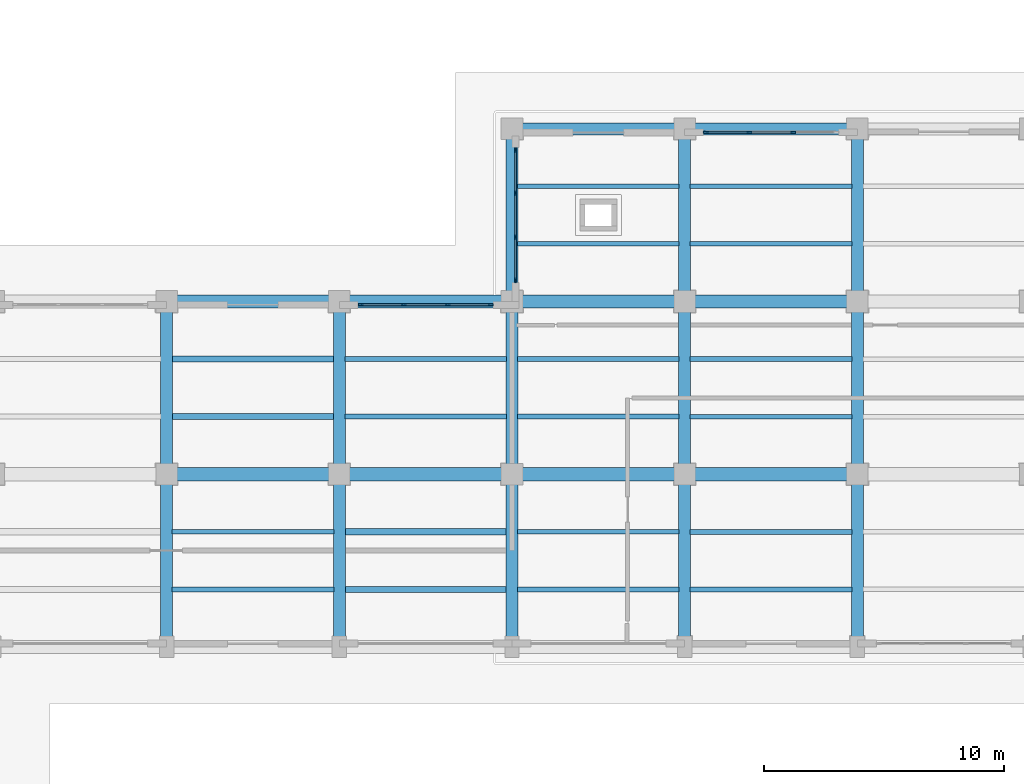
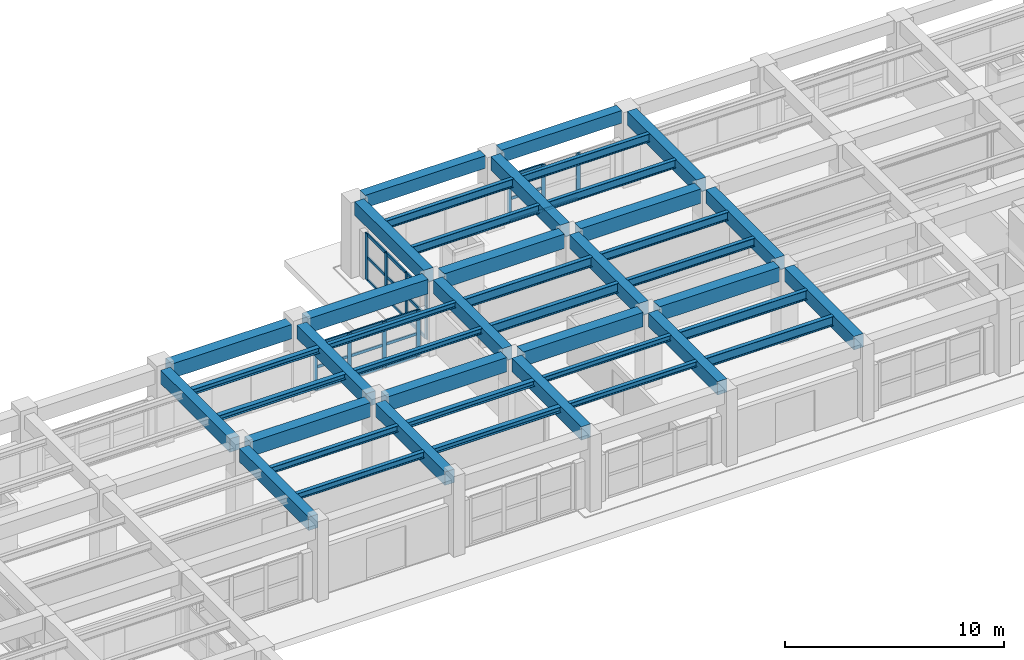
# One storey, part 23 of 64: 43 beams, 33 members, 3 elements without a shape of their own.
"""IFC4 building model written with IfcOpenShell, lengths in metres."""

from ifc_helpers import new_model, si_unit, direction, frame, origin, origin_2d, place, context, subcontext, project, spatial, rectangle, i_section, extrude, material, layer, layer_set, material_profile, profile_set, type_object, element, aggregate, save


model = new_model("IFC4")

# Units and contexts
model_context = context("Model", 3, precision=1e-05, world=origin(), true_north=direction((0.0, 1.0)))
body_context = subcontext(model_context, "Body", "Model", "MODEL_VIEW")
ifc_project = project(units=[si_unit("LENGTHUNIT", "METRE"), si_unit("AREAUNIT", "SQUARE_METRE"), si_unit("VOLUMEUNIT", "CUBIC_METRE"), si_unit("PLANEANGLEUNIT", "RADIAN"), si_unit("MASSUNIT", "GRAM", prefix="KILO")], contexts=[model_context])

# Site, building, storey
site_placement = place(None, origin())
site = spatial("IfcSite", under=ifc_project, at=site_placement, CompositionType="ELEMENT")
building_placement = place(site_placement, origin())
building = spatial("IfcBuilding", under=site, at=building_placement, Name="Solenvale Faculty of Natural Sciences", CompositionType="ELEMENT")
storey_placement = place(building_placement, origin())
storey = spatial("IfcBuildingStorey", under=building, at=storey_placement, Name="L00", CompositionType="ELEMENT", Elevation=0.0)

# Beams
ifc_material_1 = material(Name="Concrete 40 MPa", Category="concrete")
ifc_material_profile_1 = material_profile(ifc_material_1, rectangle(XDim=0.5, YDim=0.75, at=origin_2d()), Name="RC-BM-500x750")
ifc_profile_set_1 = profile_set([ifc_material_profile_1], Name="Concrete 40 MPa")
beam_type_1 = type_object("IfcBeamType", Name="BM-RC-500x750", PredefinedType="BEAM", material=ifc_profile_set_1)
for number, where, z_axis, x_axis, name in (
    (1, (64.800048828125, 94.030029296875, 3.844970703125), (0.0, 1.0, 0.0), (-1.0, 0.0, 0.0), "L00 Y-Girder X64.8 (93.6..100.8)"),
    (2, (64.800048828125, 101.22998046875, 3.844970703125), (0.0, 1.0, 0.0), (-1.0, 0.0, 0.0), "L00 Y-Girder X64.8 (100.8..108.0)"),
    (3, (72.0, 94.030029296875, 3.844970703125), (0.0, 1.0, 0.0), (-1.0, 0.0, 0.0), "L00 Y-Girder X72.0 (93.6..100.8)"),
    (4, (72.0, 101.22998046875, 3.844970703125), (0.0, 1.0, 0.0), (-1.0, 0.0, 0.0), "L00 Y-Girder X72.0 (100.8..108.0)"),
    (5, (79.199951171875, 94.030029296875, 3.844970703125), (0.0, 1.0, 0.0), (-1.0, 0.0, 0.0), "L00 Y-Girder X79.2 (93.6..100.8)"),
    (6, (79.199951171875, 101.22998046875, 3.844970703125), (0.0, 1.0, 0.0), (-1.0, 0.0, 0.0), "L00 Y-Girder X79.2 (100.8..108.0)"),
    (7, (79.199951171875, 108.429931640625, 3.844970703125), (0.0, 1.0, 0.0), (-1.0, 0.0, 0.0), "L00 Y-Girder X79.2 (108.0..115.2)"),
    (8, (86.39990234375, 94.030029296875, 3.844970703125), (0.0, 1.0, 0.0), (-1.0, 0.0, 0.0), "L00 Y-Girder X86.4 (93.6..100.8)"),
    (9, (86.39990234375, 101.22998046875, 3.844970703125), (0.0, 1.0, 0.0), (-1.0, 0.0, 0.0), "L00 Y-Girder X86.4 (100.8..108.0)"),
    (10, (86.39990234375, 108.429931640625, 3.844970703125), (0.0, 1.0, 0.0), (-1.0, 0.0, 0.0), "L00 Y-Girder X86.4 (108.0..115.2)"),
    (11, (93.60009765625, 94.030029296875, 3.844970703125), (0.0, 1.0, 0.0), (-1.0, 0.0, 0.0), "L00 Y-Girder X93.6 (93.6..100.8)"),
    (12, (93.60009765625, 101.22998046875, 3.844970703125), (0.0, 1.0, 0.0), (-1.0, 0.0, 0.0), "L00 Y-Girder X93.6 (100.8..108.0)"),
    (13, (93.60009765625, 108.429931640625, 3.844970703125), (0.0, 1.0, 0.0), (-1.0, 0.0, 0.0), "L00 Y-Girder X93.6 (108.0..115.2)"),
):
    element("IfcBeam", number, at=place(storey_placement, frame(where, z_axis=z_axis, x_axis=x_axis)), inside=storey, type_object=beam_type_1, Name=name, PredefinedType="BEAM", context=body_context, shape_type="SweptSolid", body=[
        extrude(rectangle(XDim=0.5, YDim=0.75, at=origin_2d()), origin(), (0.0, 0.0, 1.0), 6.340087890625),
    ])
ifc_material_profile_2 = material_profile(ifc_material_1, rectangle(XDim=0.550048828125, YDim=0.800048828125, at=origin_2d()), Name="RC-BM-550x800")
ifc_profile_set_2 = profile_set([ifc_material_profile_2], Name="Concrete 40 MPa")
beam_type_2 = type_object("IfcBeamType", Name="BM-RC-550x800", PredefinedType="BEAM", material=ifc_profile_set_2)
for number, where, z_axis, x_axis, name in (
    (14, (65.22998046875, 100.800048828125, 3.820068359375), (1.0, 0.0, 0.0), (0.0, 1.0, 0.0), "L00 X-Girder Y100.8 (64.8..72.0)"),
    (15, (72.429931640625, 100.800048828125, 3.820068359375), (1.0, 0.0, 0.0), (0.0, 1.0, 0.0), "L00 X-Girder Y100.8 (72.0..79.2)"),
    (16, (79.6298828125, 100.800048828125, 3.820068359375), (1.0, 0.0, 0.0), (0.0, 1.0, 0.0), "L00 X-Girder Y100.8 (79.2..86.4)"),
):
    element("IfcBeam", number, at=place(storey_placement, frame(where, z_axis=z_axis, x_axis=x_axis)), inside=storey, type_object=beam_type_2, Name=name, PredefinedType="BEAM", context=body_context, shape_type="SweptSolid", body=[
        extrude(rectangle(XDim=0.550048828125, YDim=0.800048828125, at=origin_2d()), origin(), (0.0, 0.0, 1.0), 6.340087890625),
    ])
beam_1_placement = place(storey_placement, frame((86.830078125, 100.800048828125, 3.820068359375), z_axis=(1.0, 0.0, 0.0), x_axis=(0.0, 1.0, 0.0)))
element("IfcBeam", 17, at=beam_1_placement, inside=storey, type_object=beam_type_2, Name="L00 X-Girder Y100.8 (86.4..93.6)", PredefinedType="BEAM", context=body_context, shape_type="SweptSolid", body=[
    extrude(rectangle(XDim=0.550048828125, YDim=0.800048828125, at=origin_2d()), origin(), (0.0, 0.0, 1.0), 6.33984375),
])
for number, where, z_axis, x_axis, name in (
    (18, (65.22998046875, 108.0, 3.820068359375), (1.0, 0.0, 0.0), (0.0, 1.0, 0.0), "L00 X-Girder Y108.0 (64.8..72.0)"),
    (19, (72.429931640625, 108.0, 3.820068359375), (1.0, 0.0, 0.0), (0.0, 1.0, 0.0), "L00 X-Girder Y108.0 (72.0..79.2)"),
    (20, (79.6298828125, 108.0, 3.820068359375), (1.0, 0.0, 0.0), (0.0, 1.0, 0.0), "L00 X-Girder Y108.0 (79.2..86.4)"),
):
    element("IfcBeam", number, at=place(storey_placement, frame(where, z_axis=z_axis, x_axis=x_axis)), inside=storey, type_object=beam_type_2, Name=name, PredefinedType="BEAM", context=body_context, shape_type="SweptSolid", body=[
        extrude(rectangle(XDim=0.550048828125, YDim=0.800048828125, at=origin_2d()), origin(), (0.0, 0.0, 1.0), 6.340087890625),
    ])
beam_2_placement = place(storey_placement, frame((86.830078125, 108.0, 3.820068359375), z_axis=(1.0, 0.0, 0.0), x_axis=(0.0, 1.0, 0.0)))
element("IfcBeam", 21, at=beam_2_placement, inside=storey, type_object=beam_type_2, Name="L00 X-Girder Y108.0 (86.4..93.6)", PredefinedType="BEAM", context=body_context, shape_type="SweptSolid", body=[
    extrude(rectangle(XDim=0.550048828125, YDim=0.800048828125, at=origin_2d()), origin(), (0.0, 0.0, 1.0), 6.33984375),
])
ifc_material_2 = material(Name="Precast concrete 40 MPa", Category="concrete")
ifc_material_profile_3 = material_profile(ifc_material_2, rectangle(XDim=0.5, YDim=0.699951171875, at=origin_2d()), Name="RC-BM-500x700")
ifc_profile_set_3 = profile_set([ifc_material_profile_3], Name="Precast concrete 40 MPa")
beam_type_3 = type_object("IfcBeamType", Name="BM-SPN-PRC-700", PredefinedType="SPANDREL", material=ifc_profile_set_3)
beam_3_placement = place(storey_placement, frame((79.6298828125, 115.199951171875, 3.8701171875), z_axis=(1.0, 0.0, 0.0), x_axis=(0.0, 1.0, 0.0)))
element("IfcBeam", 22, at=beam_3_placement, inside=storey, type_object=beam_type_3, Name="L00 X-Girder Y115.2 (79.2..86.4)", PredefinedType="SPANDREL", context=body_context, shape_type="SweptSolid", body=[
    extrude(rectangle(XDim=0.5, YDim=0.699951171875, at=origin_2d()), origin(), (0.0, 0.0, 1.0), 6.340087890625),
])
beam_4_placement = place(storey_placement, frame((86.830078125, 115.199951171875, 3.8701171875), z_axis=(1.0, 0.0, 0.0), x_axis=(0.0, 1.0, 0.0)))
element("IfcBeam", 23, at=beam_4_placement, inside=storey, type_object=beam_type_3, Name="L00 X-Girder Y115.2 (86.4..93.6)", PredefinedType="SPANDREL", context=body_context, shape_type="SweptSolid", body=[
    extrude(rectangle(XDim=0.5, YDim=0.699951171875, at=origin_2d()), origin(), (0.0, 0.0, 1.0), 6.33984375),
])
ifc_material_3 = material(Name="Steel S355", Category="steel")
ifc_material_profile_4 = material_profile(ifc_material_3, i_section(OverallWidth=0.202880859375, OverallDepth=0.302978515625, WebThickness=0.007568359375, FlangeThickness=0.01318359375, FilletRadius=0.014892578125, at=origin_2d()), Name="W310x60")
ifc_profile_set_4 = profile_set([ifc_material_profile_4], Name="Steel S355")
beam_type_4 = type_object("IfcBeamType", Name="BM-STL-W310x60", PredefinedType="JOIST", material=ifc_profile_set_4)
for number, where, z_axis, x_axis, name in (
    (24, (72.22998046875, 103.199951171875, 4.068603515625), (1.0, 0.0, 0.0), (0.0, 1.0, 0.0), "L00 Composite Floor Joist (11,15).1"),
    (25, (72.22998046875, 105.60009765625, 4.068603515625), (1.0, 0.0, 0.0), (0.0, 1.0, 0.0), "L00 Composite Floor Joist (11,15).2"),
    (26, (79.429931640625, 96.0, 4.068603515625), (1.0, 0.0, 0.0), (0.0, 1.0, 0.0), "L00 Composite Floor Joist (12,14).1"),
    (27, (79.429931640625, 98.39990234375, 4.068603515625), (1.0, 0.0, 0.0), (0.0, 1.0, 0.0), "L00 Composite Floor Joist (12,14).2"),
):
    element("IfcBeam", number, at=place(storey_placement, frame(where, z_axis=z_axis, x_axis=x_axis)), inside=storey, type_object=beam_type_4, Name=name, PredefinedType="JOIST", context=body_context, shape_type="SweptSolid", body=[
        extrude(i_section(OverallWidth=0.202880859375, OverallDepth=0.302978515625, WebThickness=0.007568359375, FlangeThickness=0.01318359375, FilletRadius=0.014892578125, at=origin_2d()), origin(), (0.0, 0.0, 1.0), 6.739990234375),
    ])
ifc_material_profile_5 = material_profile(ifc_material_3, i_section(OverallWidth=0.25390625, OverallDepth=0.305908203125, WebThickness=0.0087890625, FlangeThickness=0.0146484375, FilletRadius=0.014892578125, at=origin_2d()), Name="W310x79")
ifc_profile_set_5 = profile_set([ifc_material_profile_5], Name="Steel S355")
beam_type_5 = type_object("IfcBeamType", Name="BM-STL-W310x79", PredefinedType="JOIST", material=ifc_profile_set_5)
for number, where, z_axis, x_axis, name in (
    (28, (65.030029296875, 103.199951171875, 4.06689453125), (1.0, 0.0, 0.0), (0.0, 1.0, 0.0), "L00 Composite Floor Joist (10,15).1"),
    (29, (65.030029296875, 105.60009765625, 4.06689453125), (1.0, 0.0, 0.0), (0.0, 1.0, 0.0), "L00 Composite Floor Joist (10,15).2"),
    (30, (72.22998046875, 96.0, 4.06689453125), (1.0, 0.0, 0.0), (0.0, 1.0, 0.0), "L00 Composite Floor Joist (11,14).1"),
    (31, (72.22998046875, 98.39990234375, 4.06689453125), (1.0, 0.0, 0.0), (0.0, 1.0, 0.0), "L00 Composite Floor Joist (11,14).2"),
):
    element("IfcBeam", number, at=place(storey_placement, frame(where, z_axis=z_axis, x_axis=x_axis)), inside=storey, type_object=beam_type_5, Name=name, PredefinedType="JOIST", context=body_context, shape_type="SweptSolid", body=[
        extrude(i_section(OverallWidth=0.25390625, OverallDepth=0.305908203125, WebThickness=0.0087890625, FlangeThickness=0.0146484375, FilletRadius=0.014892578125, at=origin_2d()), origin(), (0.0, 0.0, 1.0), 6.739990234375),
    ])
ifc_material_profile_6 = material_profile(ifc_material_3, i_section(OverallWidth=0.2041015625, OverallDepth=0.35009765625, WebThickness=0.008544921875, FlangeThickness=0.01513671875, FilletRadius=0.014892578125, at=origin_2d()), Name="W360x72")
ifc_profile_set_6 = profile_set([ifc_material_profile_6], Name="Steel S355")
beam_type_6 = type_object("IfcBeamType", Name="BM-STL-W360x72", PredefinedType="JOIST", material=ifc_profile_set_6)
for number, where, z_axis, x_axis, name in (
    (32, (65.030029296875, 96.0, 4.044921875), (1.0, 0.0, 0.0), (0.0, 1.0, 0.0), "L00 Composite Floor Joist (10,14).1"),
    (33, (65.030029296875, 98.39990234375, 4.044921875), (1.0, 0.0, 0.0), (0.0, 1.0, 0.0), "L00 Composite Floor Joist (10,14).2"),
):
    element("IfcBeam", number, at=place(storey_placement, frame(where, z_axis=z_axis, x_axis=x_axis)), inside=storey, type_object=beam_type_6, Name=name, PredefinedType="JOIST", context=body_context, shape_type="SweptSolid", body=[
        extrude(i_section(OverallWidth=0.2041015625, OverallDepth=0.35009765625, WebThickness=0.008544921875, FlangeThickness=0.01513671875, FilletRadius=0.014892578125, at=origin_2d()), origin(), (0.0, 0.0, 1.0), 6.739990234375),
    ])
ifc_material_profile_7 = material_profile(ifc_material_3, i_section(OverallWidth=0.194091796875, OverallDepth=0.468994140625, WebThickness=0.0126953125, FlangeThickness=0.0205078125, FilletRadius=0.01806640625, at=origin_2d()), Name="W460x106")
ifc_profile_set_7 = profile_set([ifc_material_profile_7], Name="Steel S355")
beam_type_7 = type_object("IfcBeamType", Name="BM-STL-W460x106", PredefinedType="JOIST", material=ifc_profile_set_7)
for number, where, z_axis, x_axis, name in (
    (34, (79.429931640625, 110.39990234375, 3.985595703125), (1.0, 0.0, 0.0), (0.0, 1.0, 0.0), "L00 Composite Floor Joist (12,16).1"),
    (35, (79.429931640625, 112.800048828125, 3.985595703125), (1.0, 0.0, 0.0), (0.0, 1.0, 0.0), "L00 Composite Floor Joist (12,16).2"),
):
    element("IfcBeam", number, at=place(storey_placement, frame(where, z_axis=z_axis, x_axis=x_axis)), inside=storey, type_object=beam_type_7, Name=name, PredefinedType="JOIST", context=body_context, shape_type="SweptSolid", body=[
        extrude(i_section(OverallWidth=0.194091796875, OverallDepth=0.468994140625, WebThickness=0.0126953125, FlangeThickness=0.0205078125, FilletRadius=0.01806640625, at=origin_2d()), origin(), (0.0, 0.0, 1.0), 6.739990234375),
    ])
for number, where, z_axis, x_axis, name in (
    (36, (86.6298828125, 103.199951171875, 3.985595703125), (1.0, 0.0, 0.0), (0.0, 1.0, 0.0), "L00 Composite Floor Joist (13,15).1"),
    (37, (86.6298828125, 105.60009765625, 3.985595703125), (1.0, 0.0, 0.0), (0.0, 1.0, 0.0), "L00 Composite Floor Joist (13,15).2"),
):
    element("IfcBeam", number, at=place(storey_placement, frame(where, z_axis=z_axis, x_axis=x_axis)), inside=storey, type_object=beam_type_7, Name=name, PredefinedType="JOIST", context=body_context, shape_type="SweptSolid", body=[
        extrude(i_section(OverallWidth=0.194091796875, OverallDepth=0.468994140625, WebThickness=0.0126953125, FlangeThickness=0.0205078125, FilletRadius=0.01806640625, at=origin_2d()), origin(), (0.0, 0.0, 1.0), 6.740234375),
    ])
ifc_material_profile_8 = material_profile(ifc_material_3, i_section(OverallWidth=0.19091796875, OverallDepth=0.4599609375, WebThickness=0.010009765625, FlangeThickness=0.01611328125, FilletRadius=0.01806640625, at=origin_2d()), Name="W460x82")
ifc_profile_set_8 = profile_set([ifc_material_profile_8], Name="Steel S355")
beam_type_8 = type_object("IfcBeamType", Name="BM-STL-W460x82", PredefinedType="JOIST", material=ifc_profile_set_8)
for number, where, z_axis, x_axis, name in (
    (38, (86.6298828125, 110.39990234375, 3.989990234375), (1.0, 0.0, 0.0), (0.0, 1.0, 0.0), "L00 Composite Floor Joist (13,16).1"),
    (39, (86.6298828125, 112.800048828125, 3.989990234375), (1.0, 0.0, 0.0), (0.0, 1.0, 0.0), "L00 Composite Floor Joist (13,16).2"),
):
    element("IfcBeam", number, at=place(storey_placement, frame(where, z_axis=z_axis, x_axis=x_axis)), inside=storey, type_object=beam_type_8, Name=name, PredefinedType="JOIST", context=body_context, shape_type="SweptSolid", body=[
        extrude(i_section(OverallWidth=0.19091796875, OverallDepth=0.4599609375, WebThickness=0.010009765625, FlangeThickness=0.01611328125, FilletRadius=0.01806640625, at=origin_2d()), origin(), (0.0, 0.0, 1.0), 6.740234375),
    ])
ifc_material_profile_9 = material_profile(ifc_material_3, i_section(OverallWidth=0.208984375, OverallDepth=0.532958984375, WebThickness=0.01025390625, FlangeThickness=0.015625, FilletRadius=0.01904296875, at=origin_2d()), Name="W530x92")
ifc_profile_set_9 = profile_set([ifc_material_profile_9], Name="Steel S355")
beam_type_9 = type_object("IfcBeamType", Name="BM-STL-W530x92", PredefinedType="JOIST", material=ifc_profile_set_9)
for number, where, z_axis, x_axis, name in (
    (40, (79.429931640625, 103.199951171875, 3.95361328125), (1.0, 0.0, 0.0), (0.0, 1.0, 0.0), "L00 Composite Floor Joist (12,15).1"),
    (41, (79.429931640625, 105.60009765625, 3.95361328125), (1.0, 0.0, 0.0), (0.0, 1.0, 0.0), "L00 Composite Floor Joist (12,15).2"),
):
    element("IfcBeam", number, at=place(storey_placement, frame(where, z_axis=z_axis, x_axis=x_axis)), inside=storey, type_object=beam_type_9, Name=name, PredefinedType="JOIST", context=body_context, shape_type="SweptSolid", body=[
        extrude(i_section(OverallWidth=0.208984375, OverallDepth=0.532958984375, WebThickness=0.01025390625, FlangeThickness=0.015625, FilletRadius=0.01904296875, at=origin_2d()), origin(), (0.0, 0.0, 1.0), 6.739990234375),
    ])
for number, where, z_axis, x_axis, name in (
    (42, (86.6298828125, 96.0, 3.95361328125), (1.0, 0.0, 0.0), (0.0, 1.0, 0.0), "L00 Composite Floor Joist (13,14).1"),
    (43, (86.6298828125, 98.39990234375, 3.95361328125), (1.0, 0.0, 0.0), (0.0, 1.0, 0.0), "L00 Composite Floor Joist (13,14).2"),
):
    element("IfcBeam", number, at=place(storey_placement, frame(where, z_axis=z_axis, x_axis=x_axis)), inside=storey, type_object=beam_type_9, Name=name, PredefinedType="JOIST", context=body_context, shape_type="SweptSolid", body=[
        extrude(i_section(OverallWidth=0.208984375, OverallDepth=0.532958984375, WebThickness=0.01025390625, FlangeThickness=0.015625, FilletRadius=0.01904296875, at=origin_2d()), origin(), (0.0, 0.0, 1.0), 6.740234375),
    ])

# Curtain wall, members
ifc_material_4 = material(Name="Anodised bronze aluminium", Category="aluminium")
ifc_layer = layer(ifc_material_4, 0.179931640625)
ifc_layer_set = layer_set([ifc_layer], Name="Anodised bronze aluminium")
curtain_wall_type = type_object("IfcCurtainWallType", Name="CW-TWR-MOD", PredefinedType="USERDEFINED", material=ifc_layer_set)
curtain_wall_1_placement = place(storey_placement, origin())
curtain_wall_1 = element("IfcCurtainWall", 44, at=curtain_wall_1_placement, inside=storey, type_object=curtain_wall_type, Name="L00 Curtain Wall CW-L00-P1-E17-B9", ObjectType="UNITISED CURTAIN WALL", PredefinedType="USERDEFINED")
ifc_material_profile_10 = material_profile(ifc_material_4, rectangle(XDim=0.074951171875, YDim=0.2099609375, at=origin_2d()), Name="ALU-MUL-75x210")
ifc_profile_set_10 = profile_set([ifc_material_profile_10], Name="Anodised bronze aluminium")
member_type_1 = type_object("IfcMemberType", Name="CWM-ALU-75x210", PredefinedType="MULLION", material=ifc_profile_set_10)
member_1_placement = place(storey_placement, frame((90.916748046875, 115.0576171875, 0.0), z_axis=(0.0, 0.0, 1.0), x_axis=(0.0, -1.0, 0.0)))
member_1 = element("IfcMember", 45, at=member_1_placement, type_object=member_type_1, Name="CW-04 mullion 2", PredefinedType="MULLION", context=body_context, shape_type="SweptSolid", body=[
    extrude(rectangle(XDim=0.074951171875, YDim=0.2099609375, at=origin_2d()), origin(), (0.0, 0.0, 1.0), 2.60009765625),
])
member_2_placement = place(storey_placement, frame((89.083251953125, 115.0576171875, 0.0), z_axis=(0.0, 0.0, 1.0), x_axis=(0.0, -1.0, 0.0)))
member_2 = element("IfcMember", 46, at=member_2_placement, type_object=member_type_1, Name="CW-04 mullion 3", PredefinedType="MULLION", context=body_context, shape_type="SweptSolid", body=[
    extrude(rectangle(XDim=0.074951171875, YDim=0.2099609375, at=origin_2d()), origin(), (0.0, 0.0, 1.0), 2.60009765625),
])
member_3_placement = place(storey_placement, frame((87.28759765625, 115.0576171875, 0.0), z_axis=(0.0, 0.0, 1.0), x_axis=(0.0, -1.0, 0.0)))
member_3 = element("IfcMember", 47, at=member_3_placement, type_object=member_type_1, Name="CW-04 mullion 4", PredefinedType="MULLION", context=body_context, shape_type="SweptSolid", body=[
    extrude(rectangle(XDim=0.074951171875, YDim=0.2099609375, at=origin_2d()), origin(), (0.0, 0.0, 1.0), 2.60009765625),
])

curtain_wall_2_placement = place(storey_placement, origin())
curtain_wall_2 = element("IfcCurtainWall", 48, at=curtain_wall_2_placement, inside=storey, type_object=curtain_wall_type, Name="L00 Curtain Wall CW-L00-P1-E18-B1", ObjectType="UNITISED CURTAIN WALL", PredefinedType="USERDEFINED")
member_4_placement = place(storey_placement, frame((79.342529296875, 114.3125, 0.0), z_axis=(0.0, 0.0, 1.0), x_axis=(1.0, 0.0, 0.0)))
member_4 = element("IfcMember", 49, at=member_4_placement, type_object=member_type_1, Name="CW-04 mullion 1", PredefinedType="MULLION", context=body_context, shape_type="SweptSolid", body=[
    extrude(rectangle(XDim=0.074951171875, YDim=0.2099609375, at=origin_2d()), origin(), (0.0, 0.0, 1.0), 2.60009765625),
])
member_5_placement = place(storey_placement, frame((79.342529296875, 112.5166015625, 0.0), z_axis=(0.0, 0.0, 1.0), x_axis=(1.0, 0.0, 0.0)))
member_5 = element("IfcMember", 50, at=member_5_placement, type_object=member_type_1, Name="CW-04 mullion 2", PredefinedType="MULLION", context=body_context, shape_type="SweptSolid", body=[
    extrude(rectangle(XDim=0.074951171875, YDim=0.2099609375, at=origin_2d()), origin(), (0.0, 0.0, 1.0), 2.60009765625),
])
member_6_placement = place(storey_placement, frame((79.342529296875, 110.683349609375, 0.0), z_axis=(0.0, 0.0, 1.0), x_axis=(1.0, 0.0, 0.0)))
member_6 = element("IfcMember", 51, at=member_6_placement, type_object=member_type_1, Name="CW-04 mullion 3", PredefinedType="MULLION", context=body_context, shape_type="SweptSolid", body=[
    extrude(rectangle(XDim=0.074951171875, YDim=0.2099609375, at=origin_2d()), origin(), (0.0, 0.0, 1.0), 2.60009765625),
])
member_7_placement = place(storey_placement, frame((79.342529296875, 108.887451171875, 0.0), z_axis=(0.0, 0.0, 1.0), x_axis=(1.0, 0.0, 0.0)))
member_7 = element("IfcMember", 52, at=member_7_placement, type_object=member_type_1, Name="CW-04 mullion 4", PredefinedType="MULLION", context=body_context, shape_type="SweptSolid", body=[
    extrude(rectangle(XDim=0.074951171875, YDim=0.2099609375, at=origin_2d()), origin(), (0.0, 0.0, 1.0), 2.60009765625),
])

curtain_wall_3_placement = place(storey_placement, origin())
curtain_wall_3 = element("IfcCurtainWall", 53, at=curtain_wall_3_placement, inside=storey, type_object=curtain_wall_type, Name="L00 Curtain Wall CW-L00-P1-E19-B1", ObjectType="UNITISED CURTAIN WALL", PredefinedType="USERDEFINED")
member_8_placement = place(storey_placement, frame((78.3125, 107.857421875, 0.0), z_axis=(0.0, 0.0, 1.0), x_axis=(0.0, -1.0, 0.0)))
member_8 = element("IfcMember", 54, at=member_8_placement, type_object=member_type_1, Name="CW-04 mullion 1", PredefinedType="MULLION", context=body_context, shape_type="SweptSolid", body=[
    extrude(rectangle(XDim=0.074951171875, YDim=0.2099609375, at=origin_2d()), origin(), (0.0, 0.0, 1.0), 2.60009765625),
])
member_9_placement = place(storey_placement, frame((76.5166015625, 107.857421875, 0.0), z_axis=(0.0, 0.0, 1.0), x_axis=(0.0, -1.0, 0.0)))
member_9 = element("IfcMember", 55, at=member_9_placement, type_object=member_type_1, Name="CW-04 mullion 2", PredefinedType="MULLION", context=body_context, shape_type="SweptSolid", body=[
    extrude(rectangle(XDim=0.074951171875, YDim=0.2099609375, at=origin_2d()), origin(), (0.0, 0.0, 1.0), 2.60009765625),
])
member_10_placement = place(storey_placement, frame((74.683349609375, 107.857421875, 0.0), z_axis=(0.0, 0.0, 1.0), x_axis=(0.0, -1.0, 0.0)))
member_10 = element("IfcMember", 56, at=member_10_placement, type_object=member_type_1, Name="CW-04 mullion 3", PredefinedType="MULLION", context=body_context, shape_type="SweptSolid", body=[
    extrude(rectangle(XDim=0.074951171875, YDim=0.2099609375, at=origin_2d()), origin(), (0.0, 0.0, 1.0), 2.60009765625),
])
member_11_placement = place(storey_placement, frame((72.887451171875, 107.857421875, 0.0), z_axis=(0.0, 0.0, 1.0), x_axis=(0.0, -1.0, 0.0)))
member_11 = element("IfcMember", 57, at=member_11_placement, type_object=member_type_1, Name="CW-04 mullion 4", PredefinedType="MULLION", context=body_context, shape_type="SweptSolid", body=[
    extrude(rectangle(XDim=0.074951171875, YDim=0.2099609375, at=origin_2d()), origin(), (0.0, 0.0, 1.0), 2.60009765625),
])

# Member
ifc_material_profile_11 = material_profile(ifc_material_4, rectangle(XDim=0.074951171875, YDim=0.155029296875, at=origin_2d()), Name="ALU-TRN-75x155")
ifc_profile_set_11 = profile_set([ifc_material_profile_11], Name="Anodised bronze aluminium")
member_type_2 = type_object("IfcMemberType", Name="CWT-ALU-75x155", PredefinedType="USERDEFINED", material=ifc_profile_set_11)
member_12_placement = place(storey_placement, frame((90.879150390625, 115.0576171875, 0.03759765625), z_axis=(-1.0, 0.0, 0.0), x_axis=(0.0, -1.0, 0.0)))
member_12 = element("IfcMember", 58, at=member_12_placement, type_object=member_type_2, Name="CW-04 transom 2.1", ObjectType="TRANSOM", PredefinedType="USERDEFINED", context=body_context, shape_type="SweptSolid", body=[
    extrude(rectangle(XDim=0.074951171875, YDim=0.155029296875, at=origin_2d()), origin(), (0.0, 0.0, 1.0), 1.75830078125),
])

member_13_placement = place(storey_placement, frame((89.0458984375, 115.0576171875, 0.03759765625), z_axis=(-1.0, 0.0, 0.0), x_axis=(0.0, -1.0, 0.0)))
member_13 = element("IfcMember", 59, at=member_13_placement, type_object=member_type_2, Name="CW-04 transom 3.1", ObjectType="TRANSOM", PredefinedType="USERDEFINED", context=body_context, shape_type="SweptSolid", body=[
    extrude(rectangle(XDim=0.074951171875, YDim=0.155029296875, at=origin_2d()), origin(), (0.0, 0.0, 1.0), 1.720947265625),
])

member_14_placement = place(storey_placement, frame((89.0458984375, 115.0576171875, 1.300048828125), z_axis=(-1.0, 0.0, 0.0), x_axis=(0.0, -1.0, 0.0)))
member_14 = element("IfcMember", 60, at=member_14_placement, type_object=member_type_2, Name="CW-04 transom 3.2", ObjectType="TRANSOM", PredefinedType="USERDEFINED", context=body_context, shape_type="SweptSolid", body=[
    extrude(rectangle(XDim=0.074951171875, YDim=0.155029296875, at=origin_2d()), origin(), (0.0, 0.0, 1.0), 1.720947265625),
])

member_15_placement = place(storey_placement, frame((89.0458984375, 115.0576171875, 2.5625), z_axis=(-1.0, 0.0, 0.0), x_axis=(0.0, -1.0, 0.0)))
member_15 = element("IfcMember", 61, at=member_15_placement, type_object=member_type_2, Name="CW-04 transom 3.3", ObjectType="TRANSOM", PredefinedType="USERDEFINED", context=body_context, shape_type="SweptSolid", body=[
    extrude(rectangle(XDim=0.074951171875, YDim=0.155029296875, at=origin_2d()), origin(), (0.0, 0.0, 1.0), 1.720947265625),
])

aggregate(curtain_wall_1, [member_1, member_2, member_3, member_12, member_13, member_14, member_15])

member_16_placement = place(storey_placement, frame((79.342529296875, 114.27490234375, 0.03759765625), z_axis=(0.0, -1.0, 0.0), x_axis=(1.0, 0.0, 0.0)))
member_16 = element("IfcMember", 62, at=member_16_placement, type_object=member_type_2, Name="CW-04 transom 1.1", ObjectType="TRANSOM", PredefinedType="USERDEFINED", context=body_context, shape_type="SweptSolid", body=[
    extrude(rectangle(XDim=0.074951171875, YDim=0.155029296875, at=origin_2d()), origin(), (0.0, 0.0, 1.0), 1.720703125),
])

member_17_placement = place(storey_placement, frame((79.342529296875, 114.27490234375, 1.300048828125), z_axis=(0.0, -1.0, 0.0), x_axis=(1.0, 0.0, 0.0)))
member_17 = element("IfcMember", 63, at=member_17_placement, type_object=member_type_2, Name="CW-04 transom 1.2", ObjectType="TRANSOM", PredefinedType="USERDEFINED", context=body_context, shape_type="SweptSolid", body=[
    extrude(rectangle(XDim=0.074951171875, YDim=0.155029296875, at=origin_2d()), origin(), (0.0, 0.0, 1.0), 1.720703125),
])

member_18_placement = place(storey_placement, frame((79.342529296875, 114.27490234375, 2.5625), z_axis=(0.0, -1.0, 0.0), x_axis=(1.0, 0.0, 0.0)))
member_18 = element("IfcMember", 64, at=member_18_placement, type_object=member_type_2, Name="CW-04 transom 1.3", ObjectType="TRANSOM", PredefinedType="USERDEFINED", context=body_context, shape_type="SweptSolid", body=[
    extrude(rectangle(XDim=0.074951171875, YDim=0.155029296875, at=origin_2d()), origin(), (0.0, 0.0, 1.0), 1.720703125),
])

member_19_placement = place(storey_placement, frame((79.342529296875, 112.479248046875, 0.03759765625), z_axis=(0.0, -1.0, 0.0), x_axis=(1.0, 0.0, 0.0)))
member_19 = element("IfcMember", 65, at=member_19_placement, type_object=member_type_2, Name="CW-04 transom 2.1", ObjectType="TRANSOM", PredefinedType="USERDEFINED", context=body_context, shape_type="SweptSolid", body=[
    extrude(rectangle(XDim=0.074951171875, YDim=0.155029296875, at=origin_2d()), origin(), (0.0, 0.0, 1.0), 1.75830078125),
])

member_20_placement = place(storey_placement, frame((79.342529296875, 112.479248046875, 1.300048828125), z_axis=(0.0, -1.0, 0.0), x_axis=(1.0, 0.0, 0.0)))
member_20 = element("IfcMember", 66, at=member_20_placement, type_object=member_type_2, Name="CW-04 transom 2.2", ObjectType="TRANSOM", PredefinedType="USERDEFINED", context=body_context, shape_type="SweptSolid", body=[
    extrude(rectangle(XDim=0.074951171875, YDim=0.155029296875, at=origin_2d()), origin(), (0.0, 0.0, 1.0), 1.75830078125),
])

member_21_placement = place(storey_placement, frame((79.342529296875, 112.479248046875, 2.5625), z_axis=(0.0, -1.0, 0.0), x_axis=(1.0, 0.0, 0.0)))
member_21 = element("IfcMember", 67, at=member_21_placement, type_object=member_type_2, Name="CW-04 transom 2.3", ObjectType="TRANSOM", PredefinedType="USERDEFINED", context=body_context, shape_type="SweptSolid", body=[
    extrude(rectangle(XDim=0.074951171875, YDim=0.155029296875, at=origin_2d()), origin(), (0.0, 0.0, 1.0), 1.75830078125),
])

member_22_placement = place(storey_placement, frame((79.342529296875, 110.645751953125, 0.03759765625), z_axis=(0.0, -1.0, 0.0), x_axis=(1.0, 0.0, 0.0)))
member_22 = element("IfcMember", 68, at=member_22_placement, type_object=member_type_2, Name="CW-04 transom 3.1", ObjectType="TRANSOM", PredefinedType="USERDEFINED", context=body_context, shape_type="SweptSolid", body=[
    extrude(rectangle(XDim=0.074951171875, YDim=0.155029296875, at=origin_2d()), origin(), (0.0, 0.0, 1.0), 1.720703125),
])

member_23_placement = place(storey_placement, frame((79.342529296875, 110.645751953125, 1.300048828125), z_axis=(0.0, -1.0, 0.0), x_axis=(1.0, 0.0, 0.0)))
member_23 = element("IfcMember", 69, at=member_23_placement, type_object=member_type_2, Name="CW-04 transom 3.2", ObjectType="TRANSOM", PredefinedType="USERDEFINED", context=body_context, shape_type="SweptSolid", body=[
    extrude(rectangle(XDim=0.074951171875, YDim=0.155029296875, at=origin_2d()), origin(), (0.0, 0.0, 1.0), 1.720703125),
])

member_24_placement = place(storey_placement, frame((79.342529296875, 110.645751953125, 2.5625), z_axis=(0.0, -1.0, 0.0), x_axis=(1.0, 0.0, 0.0)))
member_24 = element("IfcMember", 70, at=member_24_placement, type_object=member_type_2, Name="CW-04 transom 3.3", ObjectType="TRANSOM", PredefinedType="USERDEFINED", context=body_context, shape_type="SweptSolid", body=[
    extrude(rectangle(XDim=0.074951171875, YDim=0.155029296875, at=origin_2d()), origin(), (0.0, 0.0, 1.0), 1.720703125),
])

aggregate(curtain_wall_2, [member_4, member_5, member_6, member_7, member_16, member_17, member_18, member_19, member_20, member_21, member_22, member_23, member_24])

member_25_placement = place(storey_placement, frame((78.27490234375, 107.857421875, 0.03759765625), z_axis=(-1.0, 0.0, 0.0), x_axis=(0.0, -1.0, 0.0)))
member_25 = element("IfcMember", 71, at=member_25_placement, type_object=member_type_2, Name="CW-04 transom 1.1", ObjectType="TRANSOM", PredefinedType="USERDEFINED", context=body_context, shape_type="SweptSolid", body=[
    extrude(rectangle(XDim=0.074951171875, YDim=0.155029296875, at=origin_2d()), origin(), (0.0, 0.0, 1.0), 1.720703125),
])

member_26_placement = place(storey_placement, frame((78.27490234375, 107.857421875, 1.300048828125), z_axis=(-1.0, 0.0, 0.0), x_axis=(0.0, -1.0, 0.0)))
member_26 = element("IfcMember", 72, at=member_26_placement, type_object=member_type_2, Name="CW-04 transom 1.2", ObjectType="TRANSOM", PredefinedType="USERDEFINED", context=body_context, shape_type="SweptSolid", body=[
    extrude(rectangle(XDim=0.074951171875, YDim=0.155029296875, at=origin_2d()), origin(), (0.0, 0.0, 1.0), 1.720703125),
])

member_27_placement = place(storey_placement, frame((78.27490234375, 107.857421875, 2.5625), z_axis=(-1.0, 0.0, 0.0), x_axis=(0.0, -1.0, 0.0)))
member_27 = element("IfcMember", 73, at=member_27_placement, type_object=member_type_2, Name="CW-04 transom 1.3", ObjectType="TRANSOM", PredefinedType="USERDEFINED", context=body_context, shape_type="SweptSolid", body=[
    extrude(rectangle(XDim=0.074951171875, YDim=0.155029296875, at=origin_2d()), origin(), (0.0, 0.0, 1.0), 1.720703125),
])

member_28_placement = place(storey_placement, frame((76.479248046875, 107.857421875, 0.03759765625), z_axis=(-1.0, 0.0, 0.0), x_axis=(0.0, -1.0, 0.0)))
member_28 = element("IfcMember", 74, at=member_28_placement, type_object=member_type_2, Name="CW-04 transom 2.1", ObjectType="TRANSOM", PredefinedType="USERDEFINED", context=body_context, shape_type="SweptSolid", body=[
    extrude(rectangle(XDim=0.074951171875, YDim=0.155029296875, at=origin_2d()), origin(), (0.0, 0.0, 1.0), 1.75830078125),
])

member_29_placement = place(storey_placement, frame((76.479248046875, 107.857421875, 1.300048828125), z_axis=(-1.0, 0.0, 0.0), x_axis=(0.0, -1.0, 0.0)))
member_29 = element("IfcMember", 75, at=member_29_placement, type_object=member_type_2, Name="CW-04 transom 2.2", ObjectType="TRANSOM", PredefinedType="USERDEFINED", context=body_context, shape_type="SweptSolid", body=[
    extrude(rectangle(XDim=0.074951171875, YDim=0.155029296875, at=origin_2d()), origin(), (0.0, 0.0, 1.0), 1.75830078125),
])

member_30_placement = place(storey_placement, frame((76.479248046875, 107.857421875, 2.5625), z_axis=(-1.0, 0.0, 0.0), x_axis=(0.0, -1.0, 0.0)))
member_30 = element("IfcMember", 76, at=member_30_placement, type_object=member_type_2, Name="CW-04 transom 2.3", ObjectType="TRANSOM", PredefinedType="USERDEFINED", context=body_context, shape_type="SweptSolid", body=[
    extrude(rectangle(XDim=0.074951171875, YDim=0.155029296875, at=origin_2d()), origin(), (0.0, 0.0, 1.0), 1.75830078125),
])

member_31_placement = place(storey_placement, frame((74.645751953125, 107.857421875, 0.03759765625), z_axis=(-1.0, 0.0, 0.0), x_axis=(0.0, -1.0, 0.0)))
member_31 = element("IfcMember", 77, at=member_31_placement, type_object=member_type_2, Name="CW-04 transom 3.1", ObjectType="TRANSOM", PredefinedType="USERDEFINED", context=body_context, shape_type="SweptSolid", body=[
    extrude(rectangle(XDim=0.074951171875, YDim=0.155029296875, at=origin_2d()), origin(), (0.0, 0.0, 1.0), 1.720703125),
])

member_32_placement = place(storey_placement, frame((74.645751953125, 107.857421875, 1.300048828125), z_axis=(-1.0, 0.0, 0.0), x_axis=(0.0, -1.0, 0.0)))
member_32 = element("IfcMember", 78, at=member_32_placement, type_object=member_type_2, Name="CW-04 transom 3.2", ObjectType="TRANSOM", PredefinedType="USERDEFINED", context=body_context, shape_type="SweptSolid", body=[
    extrude(rectangle(XDim=0.074951171875, YDim=0.155029296875, at=origin_2d()), origin(), (0.0, 0.0, 1.0), 1.720703125),
])

member_33_placement = place(storey_placement, frame((74.645751953125, 107.857421875, 2.5625), z_axis=(-1.0, 0.0, 0.0), x_axis=(0.0, -1.0, 0.0)))
member_33 = element("IfcMember", 79, at=member_33_placement, type_object=member_type_2, Name="CW-04 transom 3.3", ObjectType="TRANSOM", PredefinedType="USERDEFINED", context=body_context, shape_type="SweptSolid", body=[
    extrude(rectangle(XDim=0.074951171875, YDim=0.155029296875, at=origin_2d()), origin(), (0.0, 0.0, 1.0), 1.720703125),
])

aggregate(curtain_wall_3, [member_8, member_9, member_10, member_11, member_25, member_26, member_27, member_28, member_29, member_30, member_31, member_32, member_33])

save(model, "model.ifc")
